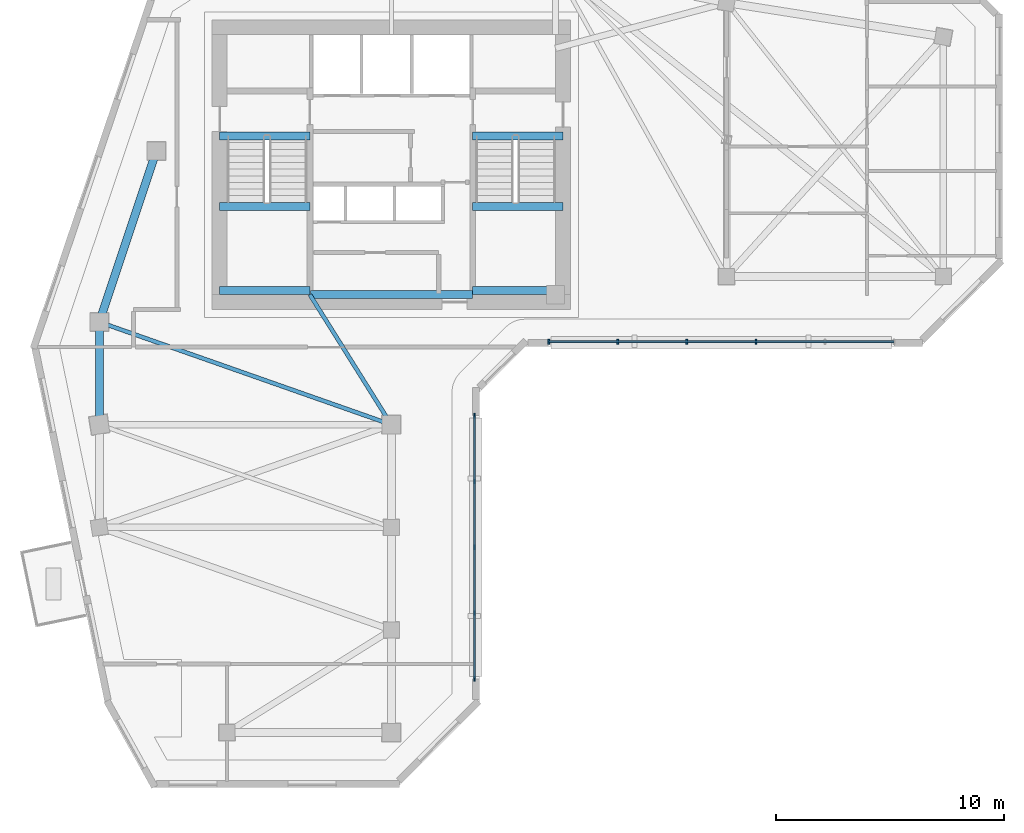
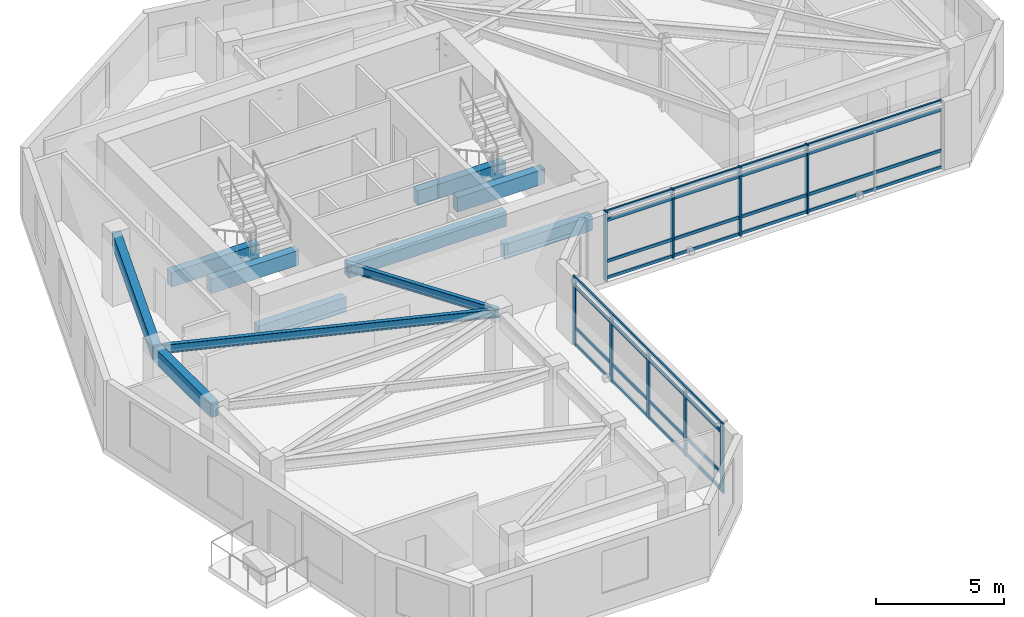
# One storey, part 2 of 10: 17 members, 11 beams, 2 elements without a shape of their own.
"""IFC4 building model written with IfcOpenShell, lengths in metres."""

from ifc_helpers import new_model, si_unit, direction, frame, origin, origin_2d, place, context, subcontext, project, spatial, rectangle, i_section, extrude, source, transform, mapped, material, material_profile, profile_set, type_object, element, aggregate, save


model = new_model("IFC4")

# Units and contexts
model_context = context("Model", 3, precision=1e-05, world=origin(), true_north=direction((0.0, 1.0)))
body_context = subcontext(model_context, "Body", "Model", "MODEL_VIEW")
ifc_project = project(units=[si_unit("LENGTHUNIT", "METRE"), si_unit("AREAUNIT", "SQUARE_METRE"), si_unit("VOLUMEUNIT", "CUBIC_METRE"), si_unit("PLANEANGLEUNIT", "RADIAN"), si_unit("MASSUNIT", "GRAM", prefix="KILO")], contexts=[model_context])

# Site, building, storey
site_placement = place(None, origin())
site = spatial("IfcSite", under=ifc_project, at=site_placement, CompositionType="ELEMENT")
building_placement = place(site_placement, origin())
building = spatial("IfcBuilding", under=site, at=building_placement, Name="Calvemar Wedge Station Tower", CompositionType="ELEMENT")
storey_placement = place(building_placement, frame((0.0, 0.0, 204.39990234375)))
storey = spatial("IfcBuildingStorey", under=building, at=storey_placement, Name="L51", CompositionType="ELEMENT", Elevation=204.39990234375)

# Beams
ifc_material_1 = material(Name="Structural steel ASTM A572 Grade 50", Category="steel")
ifc_material_profile_1 = material_profile(ifc_material_1, i_section(OverallWidth=0.177978515625, OverallDepth=0.406982421875, WebThickness=0.0078125, FlangeThickness=0.0126953125, FilletRadius=0.010009765625, at=origin_2d()), Name="W410x60")
ifc_profile_set_1 = profile_set([ifc_material_profile_1], Name="Structural steel ASTM A572 Grade 50")
beam_type_1 = type_object("IfcBeamType", Name="BM-J3-W410", PredefinedType="JOIST", material=ifc_profile_set_1)
shared_shape_1 = source(origin(), body_context, "Body", "SweptSolid", [
    extrude(i_section(OverallWidth=0.177978515625, OverallDepth=0.406982421875, WebThickness=0.0078125, FlangeThickness=0.0126953125, FilletRadius=0.010009765625, at=origin_2d()), origin(), (0.0, 0.0, 1.0), 13.568115234375),
])
beam_1_placement = place(storey_placement, frame((11.0, 33.0, 3.046630859375), z_axis=(0.943398221169, -0.331662171939, 0.0), x_axis=(0.331662171939, 0.943398221169, 0.0)))
element("IfcBeam", 1, at=beam_1_placement, inside=storey, type_object=beam_type_1, Name="Storey L51 Floor Beam T-NW1-T-SE1", PredefinedType="JOIST", context=body_context, shape_type="MappedRepresentation", body=[
    mapped(shared_shape_1, transform((0.0, 0.0, 0.0), scale=1.0)),
])
shared_shape_2 = source(origin(), body_context, "Body", "SweptSolid", [
    extrude(i_section(OverallWidth=0.177978515625, OverallDepth=0.406982421875, WebThickness=0.0078125, FlangeThickness=0.0126953125, FilletRadius=0.010009765625, at=origin_2d()), origin(), (0.0, 0.0, 1.0), 6.7255859375),
])
beam_2_placement = place(storey_placement, frame((20.22998046875, 34.199951171875, 3.046630859375), z_axis=(0.530811158438, -0.847490126242, 0.0), x_axis=(0.847490126242, 0.530811158438, 0.0)))
element("IfcBeam", 2, at=beam_2_placement, inside=storey, type_object=beam_type_1, Name="Storey L51 Core-to-Column Joist CJ-S2", PredefinedType="JOIST", context=body_context, shape_type="MappedRepresentation", body=[
    mapped(shared_shape_2, transform((0.0, 0.0, 0.0), scale=1.0)),
])
ifc_material_2 = material(Name="Concrete C70", Category="concrete")
ifc_material_profile_2 = material_profile(ifc_material_2, rectangle(XDim=0.35009765625, YDim=0.699951171875, at=origin_2d()), Name="RC350x700")
ifc_profile_set_2 = profile_set([ifc_material_profile_2], Name="Concrete C70")
beam_type_2 = type_object("IfcBeamType", Name="BM-LN1-700", PredefinedType="LINTEL", material=ifc_profile_set_2)
shared_shape_3 = source(origin(), body_context, "Body", "SweptSolid", [
    extrude(rectangle(XDim=0.35009765625, YDim=0.699951171875, at=origin_2d()), origin(), (0.0, 0.0, 1.0), 7.10009765625),
])
beam_3_placement = place(storey_placement, frame((20.25, 34.199951171875, 2.900146484375), z_axis=(1.0, 0.0, 0.0), x_axis=(0.0, 1.0, 0.0)))
element("IfcBeam", 3, at=beam_3_placement, inside=storey, type_object=beam_type_2, Name="Storey L51 Core Coupling Lintel South", PredefinedType="LINTEL", context=body_context, shape_type="MappedRepresentation", body=[
    mapped(shared_shape_3, transform((0.0, 0.0, 0.0), scale=1.0)),
])
shared_shape_4 = source(origin(), body_context, "Body", "SweptSolid", [
    extrude(rectangle(XDim=0.35009765625, YDim=0.699951171875, at=origin_2d()), origin(), (0.0, 0.0, 1.0), 3.955078125),
])
for number, where, z_axis, x_axis, name in (
    (4, (16.27490234375, 41.14990234375, -0.349853515625), (1.0, 0.0, 0.0), (0.0, 1.0, 0.0), "Storey L51 Stair ST-C1 Landing Trimmer Beam"),
    (5, (16.27490234375, 34.3798828125, 1.2001953125), (1.0, 0.0, 0.0), (0.0, 1.0, 0.0), "Storey L51 Stair ST-C1 Half-Landing Beam 1A"),
    (6, (16.27490234375, 38.070068359375, 1.2001953125), (1.0, 0.0, 0.0), (0.0, 1.0, 0.0), "Storey L51 Stair ST-C1 Half-Landing Beam 1B"),
):
    element("IfcBeam", number, at=place(storey_placement, frame(where, z_axis=z_axis, x_axis=x_axis)), inside=storey, type_object=beam_type_2, Name=name, PredefinedType="LINTEL", context=body_context, shape_type="MappedRepresentation", body=[
        mapped(shared_shape_4, transform((0.0, 0.0, 0.0), scale=1.0)),
    ])
shared_shape_5 = source(origin(), body_context, "Body", "SweptSolid", [
    extrude(rectangle(XDim=0.35009765625, YDim=0.699951171875, at=origin_2d()), origin(), (0.0, 0.0, 1.0), 3.954833984375),
])
for number, where, z_axis, x_axis, name in (
    (7, (27.3701171875, 41.14990234375, -0.349853515625), (1.0, 0.0, 0.0), (0.0, 1.0, 0.0), "Storey L51 Stair ST-C2 Landing Trimmer Beam"),
    (8, (27.3701171875, 34.3798828125, 1.2001953125), (1.0, 0.0, 0.0), (0.0, 1.0, 0.0), "Storey L51 Stair ST-C2 Half-Landing Beam 1A"),
    (9, (27.3701171875, 38.070068359375, 1.2001953125), (1.0, 0.0, 0.0), (0.0, 1.0, 0.0), "Storey L51 Stair ST-C2 Half-Landing Beam 1B"),
):
    element("IfcBeam", number, at=place(storey_placement, frame(where, z_axis=z_axis, x_axis=x_axis)), inside=storey, type_object=beam_type_2, Name=name, PredefinedType="LINTEL", context=body_context, shape_type="MappedRepresentation", body=[
        mapped(shared_shape_5, transform((0.0, 0.0, 0.0), scale=1.0)),
    ])
ifc_material_3 = material(Name="Concrete C50", Category="concrete")
ifc_material_profile_3 = material_profile(ifc_material_3, rectangle(XDim=0.35009765625, YDim=0.699951171875, at=origin_2d()), Name="RC350x700")
ifc_profile_set_3 = profile_set([ifc_material_profile_3], Name="Concrete C50")
beam_type_3 = type_object("IfcBeamType", Name="BM-SP2-700", PredefinedType="SPANDREL", material=ifc_profile_set_3)
shared_shape_6 = source(origin(), body_context, "Body", "SweptSolid", [
    extrude(rectangle(XDim=0.35009765625, YDim=0.699951171875, at=origin_2d()), origin(), (0.0, 0.0, 1.0), 7.90576171875),
])
beam_4_placement = place(storey_placement, frame((11.0, 33.0, 2.900146484375), z_axis=(0.316227766017, 0.948683298051, 0.0), x_axis=(-0.948683298051, 0.316227766017, 0.0)))
element("IfcBeam", 10, at=beam_4_placement, inside=storey, type_object=beam_type_3, Name="Storey L51 Spandrel T-NW1-T-NW2", PredefinedType="SPANDREL", context=body_context, shape_type="MappedRepresentation", body=[
    mapped(shared_shape_6, transform((0.0, 0.0, 0.0), scale=1.0)),
])
shared_shape_7 = source(origin(), body_context, "Body", "SweptSolid", [
    extrude(rectangle(XDim=0.35009765625, YDim=0.699951171875, at=origin_2d()), origin(), (0.0, 0.0, 1.0), 4.5),
])
beam_5_placement = place(storey_placement, frame((11.0, 33.0, 2.900146484375), z_axis=(0.0, -1.0, 0.0), x_axis=(1.0, 0.0, 0.0)))
element("IfcBeam", 11, at=beam_5_placement, inside=storey, type_object=beam_type_3, Name="Storey L51 Spandrel T-NW1-T-SW1", PredefinedType="SPANDREL", context=body_context, shape_type="MappedRepresentation", body=[
    mapped(shared_shape_7, transform((0.0, 0.0, 0.0), scale=1.0)),
])

# Curtain wall, members
ifc_material_4 = material(Name="Anodised aluminium 6063-T6", Category="aluminium")
curtain_wall_type = type_object("IfcCurtainWallType", Name="CW3", PredefinedType="NOTDEFINED", material=ifc_material_4)
curtain_wall_1_placement = place(storey_placement, origin())
curtain_wall_1 = element("IfcCurtainWall", 12, at=curtain_wall_1_placement, inside=storey, type_object=curtain_wall_type, Name="Storey L51 CW3 Recessed Unitised Curtain Wall 4", PredefinedType="NOTDEFINED")
ifc_material_profile_4 = material_profile(ifc_material_4, rectangle(XDim=0.074951171875, YDim=0.2099609375, at=origin_2d()), Name="AL-MUL-75x210")
ifc_profile_set_4 = profile_set([ifc_material_profile_4], Name="Anodised aluminium 6063-T6")
member_type_1 = type_object("IfcMemberType", Name="CW3-MUL", PredefinedType="MULLION", material=ifc_profile_set_4)
shared_shape_8 = source(origin(), body_context, "Body", "SweptSolid", [
    extrude(rectangle(XDim=0.074951171875, YDim=0.2099609375, at=origin_2d()), origin(), (0.0, 0.0, 1.0), 3.2998046875),
])
member_1_placement = place(storey_placement, frame((27.4541015625, 17.362060546875, -0.0498046875), z_axis=(0.0, 0.0, 1.0), x_axis=(1.0, 0.0, 0.0)))
member_1 = element("IfcMember", 13, at=member_1_placement, type_object=member_type_1, Name="CW3 mullion 1", PredefinedType="MULLION", context=body_context, shape_type="MappedRepresentation", body=[
    mapped(shared_shape_8, transform((0.0, 0.0, 0.0), scale=1.0)),
])
member_2_placement = place(storey_placement, frame((27.4541015625, 20.2431640625, -0.0498046875), z_axis=(0.0, 0.0, 1.0), x_axis=(1.0, 0.0, 0.0)))
member_2 = element("IfcMember", 14, at=member_2_placement, type_object=member_type_1, Name="CW3 mullion 2", PredefinedType="MULLION", context=body_context, shape_type="MappedRepresentation", body=[
    mapped(shared_shape_8, transform((0.0, 0.0, 0.0), scale=1.0)),
])
member_3_placement = place(storey_placement, frame((27.4541015625, 23.1240234375, -0.0498046875), z_axis=(0.0, 0.0, 1.0), x_axis=(1.0, 0.0, 0.0)))
member_3 = element("IfcMember", 15, at=member_3_placement, type_object=member_type_1, Name="CW3 mullion 3", PredefinedType="MULLION", context=body_context, shape_type="MappedRepresentation", body=[
    mapped(shared_shape_8, transform((0.0, 0.0, 0.0), scale=1.0)),
])
member_4_placement = place(storey_placement, frame((27.4541015625, 26.005126953125, -0.0498046875), z_axis=(0.0, 0.0, 1.0), x_axis=(1.0, 0.0, 0.0)))
member_4 = element("IfcMember", 16, at=member_4_placement, type_object=member_type_1, Name="CW3 mullion 4", PredefinedType="MULLION", context=body_context, shape_type="MappedRepresentation", body=[
    mapped(shared_shape_8, transform((0.0, 0.0, 0.0), scale=1.0)),
])
member_5_placement = place(storey_placement, frame((27.4541015625, 28.885986328125, -0.0498046875), z_axis=(0.0, 0.0, 1.0), x_axis=(1.0, 0.0, 0.0)))
member_5 = element("IfcMember", 17, at=member_5_placement, type_object=member_type_1, Name="CW3 mullion 5", PredefinedType="MULLION", context=body_context, shape_type="MappedRepresentation", body=[
    mapped(shared_shape_8, transform((0.0, 0.0, 0.0), scale=1.0)),
])

curtain_wall_2_placement = place(storey_placement, origin())
curtain_wall_2 = element("IfcCurtainWall", 18, at=curtain_wall_2_placement, inside=storey, type_object=curtain_wall_type, Name="Storey L51 CW3 Recessed Unitised Curtain Wall 6", PredefinedType="NOTDEFINED")
member_6_placement = place(storey_placement, frame((30.701904296875, 32.134033203125, -0.0498046875), z_axis=(0.0, 0.0, 1.0), x_axis=(1.0, 0.0, 0.0)))
member_6 = element("IfcMember", 19, at=member_6_placement, type_object=member_type_1, Name="CW3 mullion 1", PredefinedType="MULLION", context=body_context, shape_type="MappedRepresentation", body=[
    mapped(shared_shape_8, transform((0.0, 0.0, 0.0), scale=1.0)),
])
member_7_placement = place(storey_placement, frame((33.72900390625, 32.134033203125, -0.0498046875), z_axis=(0.0, 0.0, 1.0), x_axis=(1.0, 0.0, 0.0)))
member_7 = element("IfcMember", 20, at=member_7_placement, type_object=member_type_1, Name="CW3 mullion 2", PredefinedType="MULLION", context=body_context, shape_type="MappedRepresentation", body=[
    mapped(shared_shape_8, transform((0.0, 0.0, 0.0), scale=1.0)),
])
member_8_placement = place(storey_placement, frame((36.75634765625, 32.134033203125, -0.0498046875), z_axis=(0.0, 0.0, 1.0), x_axis=(1.0, 0.0, 0.0)))
member_8 = element("IfcMember", 21, at=member_8_placement, type_object=member_type_1, Name="CW3 mullion 3", PredefinedType="MULLION", context=body_context, shape_type="MappedRepresentation", body=[
    mapped(shared_shape_8, transform((0.0, 0.0, 0.0), scale=1.0)),
])
member_9_placement = place(storey_placement, frame((39.783447265625, 32.134033203125, -0.0498046875), z_axis=(0.0, 0.0, 1.0), x_axis=(1.0, 0.0, 0.0)))
member_9 = element("IfcMember", 22, at=member_9_placement, type_object=member_type_1, Name="CW3 mullion 4", PredefinedType="MULLION", context=body_context, shape_type="MappedRepresentation", body=[
    mapped(shared_shape_8, transform((0.0, 0.0, 0.0), scale=1.0)),
])

# Member
ifc_material_profile_5 = material_profile(ifc_material_4, rectangle(XDim=0.074951171875, YDim=0.14501953125, at=origin_2d()), Name="AL-TRN-75x145")
ifc_profile_set_5 = profile_set([ifc_material_profile_5], Name="Anodised aluminium 6063-T6")
member_type_2 = type_object("IfcMemberType", Name="CW3-TRN", PredefinedType="USERDEFINED", material=ifc_profile_set_5)
shared_shape_9 = source(origin(), body_context, "Body", "SweptSolid", [
    extrude(rectangle(XDim=0.074951171875, YDim=0.14501953125, at=origin_2d()), origin(), (0.0, 0.0, 1.0), 11.52392578125),
])
member_10_placement = place(storey_placement, frame((27.4541015625, 17.362060546875, 0.06005859375), z_axis=(0.0, 1.0, 0.0), x_axis=(-1.0, 0.0, 0.0)))
member_10 = element("IfcMember", 23, at=member_10_placement, type_object=member_type_2, Name="CW3 transom 1", ObjectType="TRANSOM", PredefinedType="USERDEFINED", context=body_context, shape_type="MappedRepresentation", body=[
    mapped(shared_shape_9, transform((0.0, 0.0, 0.0), scale=1.0)),
])

member_11_placement = place(storey_placement, frame((27.4541015625, 17.362060546875, 0.85009765625), z_axis=(0.0, 1.0, 0.0), x_axis=(-1.0, 0.0, 0.0)))
member_11 = element("IfcMember", 24, at=member_11_placement, type_object=member_type_2, Name="CW3 transom 2", ObjectType="TRANSOM", PredefinedType="USERDEFINED", context=body_context, shape_type="MappedRepresentation", body=[
    mapped(shared_shape_9, transform((0.0, 0.0, 0.0), scale=1.0)),
])

member_12_placement = place(storey_placement, frame((27.4541015625, 17.362060546875, 2.800048828125), z_axis=(0.0, 1.0, 0.0), x_axis=(-1.0, 0.0, 0.0)))
member_12 = element("IfcMember", 25, at=member_12_placement, type_object=member_type_2, Name="CW3 transom 3", ObjectType="TRANSOM", PredefinedType="USERDEFINED", context=body_context, shape_type="MappedRepresentation", body=[
    mapped(shared_shape_9, transform((0.0, 0.0, 0.0), scale=1.0)),
])

member_13_placement = place(storey_placement, frame((27.4541015625, 17.362060546875, 3.190185546875), z_axis=(0.0, 1.0, 0.0), x_axis=(-1.0, 0.0, 0.0)))
member_13 = element("IfcMember", 26, at=member_13_placement, type_object=member_type_2, Name="CW3 transom 4", ObjectType="TRANSOM", PredefinedType="USERDEFINED", context=body_context, shape_type="MappedRepresentation", body=[
    mapped(shared_shape_9, transform((0.0, 0.0, 0.0), scale=1.0)),
])

aggregate(curtain_wall_1, [member_1, member_2, member_3, member_4, member_5, member_10, member_11, member_12, member_13])

shared_shape_10 = source(origin(), body_context, "Body", "SweptSolid", [
    extrude(rectangle(XDim=0.074951171875, YDim=0.14501953125, at=origin_2d()), origin(), (0.0, 0.0, 1.0), 15.135986328125),
])
member_14_placement = place(storey_placement, frame((30.701904296875, 32.134033203125, 0.06005859375), z_axis=(1.0, 0.0, 0.0), x_axis=(0.0, 1.0, 0.0)))
member_14 = element("IfcMember", 27, at=member_14_placement, type_object=member_type_2, Name="CW3 transom 1", ObjectType="TRANSOM", PredefinedType="USERDEFINED", context=body_context, shape_type="MappedRepresentation", body=[
    mapped(shared_shape_10, transform((0.0, 0.0, 0.0), scale=1.0)),
])

member_15_placement = place(storey_placement, frame((30.701904296875, 32.134033203125, 0.85009765625), z_axis=(1.0, 0.0, 0.0), x_axis=(0.0, 1.0, 0.0)))
member_15 = element("IfcMember", 28, at=member_15_placement, type_object=member_type_2, Name="CW3 transom 2", ObjectType="TRANSOM", PredefinedType="USERDEFINED", context=body_context, shape_type="MappedRepresentation", body=[
    mapped(shared_shape_10, transform((0.0, 0.0, 0.0), scale=1.0)),
])

member_16_placement = place(storey_placement, frame((30.701904296875, 32.134033203125, 2.800048828125), z_axis=(1.0, 0.0, 0.0), x_axis=(0.0, 1.0, 0.0)))
member_16 = element("IfcMember", 29, at=member_16_placement, type_object=member_type_2, Name="CW3 transom 3", ObjectType="TRANSOM", PredefinedType="USERDEFINED", context=body_context, shape_type="MappedRepresentation", body=[
    mapped(shared_shape_10, transform((0.0, 0.0, 0.0), scale=1.0)),
])

member_17_placement = place(storey_placement, frame((30.701904296875, 32.134033203125, 3.190185546875), z_axis=(1.0, 0.0, 0.0), x_axis=(0.0, 1.0, 0.0)))
member_17 = element("IfcMember", 30, at=member_17_placement, type_object=member_type_2, Name="CW3 transom 4", ObjectType="TRANSOM", PredefinedType="USERDEFINED", context=body_context, shape_type="MappedRepresentation", body=[
    mapped(shared_shape_10, transform((0.0, 0.0, 0.0), scale=1.0)),
])

aggregate(curtain_wall_2, [member_6, member_7, member_8, member_9, member_14, member_15, member_16, member_17])

save(model, "model.ifc")
